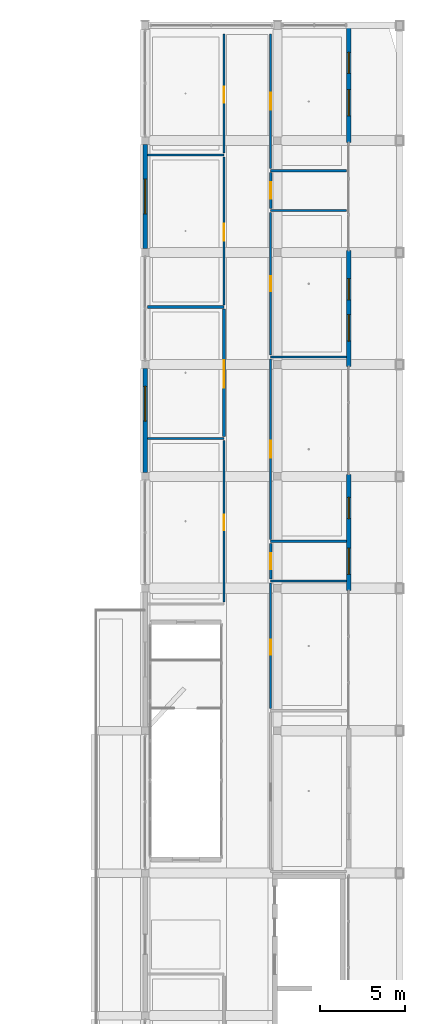
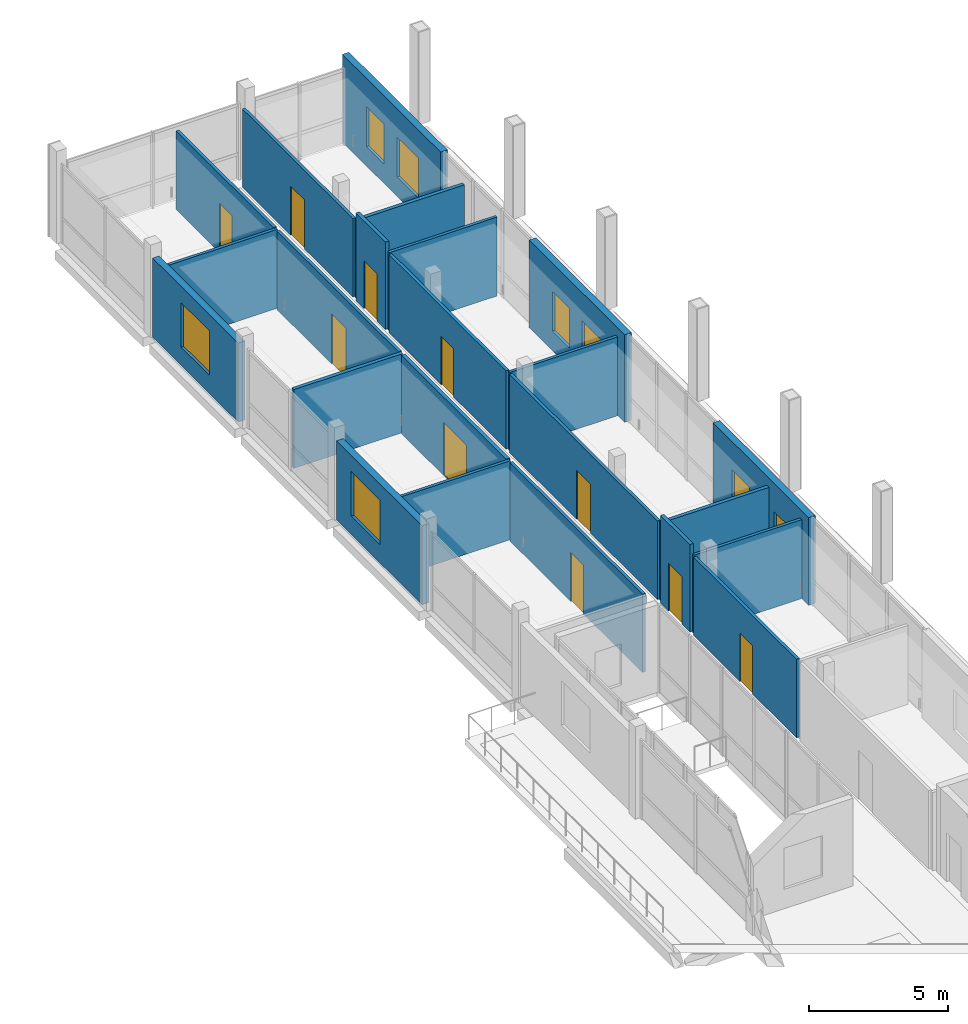
# One storey, part 28 of 48: 23 walls, 10 doors, 8 windows, 18 openings.
"""IFC4 building model written with IfcOpenShell, lengths in metres."""

import ifcopenshell
import ifcopenshell.guid

model = None  # the IFC model being written
_history = None  # IfcOwnerHistory: only IFC2X3 demands one
_inside = {}  # id of a spatial element -> (the spatial element, [elements in it])
_under = {}  # id of a project, library or spatial element -> (it, [spatial elements below it])
_declared = {}  # id of a project -> (the project, [libraries it declares])
_typed = {}  # id of a type object -> (the type object, [elements of that type])
_made_of = {}  # id of a material, layer set ... -> (it, [elements and type objects made of it])


def new_model(schema):
    """Start an empty IFC model of exactly this schema.

    Asked for "IFC4X3", IfcOpenShell would pick the latest addendum, in which some entities
    have other attributes; the version numbers below select the first issue.
    IFC2X3 requires an IfcOwnerHistory on every rooted entity: one is made here for all.
    """
    global model, _history
    if schema == "IFC4X3":
        model = ifcopenshell.file(schema_version=(4, 3, 0, 0))
    else:
        model = ifcopenshell.file(schema=schema)
    _inside.clear()
    _under.clear()
    _declared.clear()
    _typed.clear()
    _made_of.clear()
    _history = None
    if model.schema == "IFC2X3":
        org = make("IfcOrganization", Name="unknown")
        user = make(
            "IfcPersonAndOrganization",
            ThePerson=make("IfcPerson", FamilyName="unknown"),
            TheOrganization=org,
        )
        app = make(
            "IfcApplication",
            ApplicationDeveloper=org,
            Version="unknown",
            ApplicationFullName="unknown",
            ApplicationIdentifier="unknown",
        )
        _history = make(
            "IfcOwnerHistory",
            OwningUser=user,
            OwningApplication=app,
            ChangeAction="ADDED",
            CreationDate=0,
        )
    return model


def make(cls, **values):
    """One entity of the class cls with the attributes given. An attribute that is None is left unset."""
    return model.create_entity(
        cls, **{name: value for name, value in values.items() if value is not None}
    )


def rooted(cls, **values):
    """An entity with a GlobalId (a new one), such as an element, a storey or a relation."""
    return make(cls, GlobalId=ifcopenshell.guid.new(), OwnerHistory=_history, **values)


def si_unit(unit_type, name, prefix=None):
    """IfcSIUnit, for example si_unit("LENGTHUNIT", "METRE", prefix="MILLI")."""
    return make("IfcSIUnit", UnitType=unit_type, Prefix=prefix, Name=name)


def derived_unit(unit_type, elements):
    """IfcDerivedUnit: a product of units, each with its exponent."""
    return make(
        "IfcDerivedUnit",
        Elements=[
            make("IfcDerivedUnitElement", Unit=unit, Exponent=power)
            for unit, power in elements
        ],
        UnitType=unit_type,
    )


def assignment(units):
    """IfcUnitAssignment: the units of a project."""
    return None if units is None else make("IfcUnitAssignment", Units=units)


def point(xyz):
    """IfcCartesianPoint."""
    return None if xyz is None else make("IfcCartesianPoint", Coordinates=xyz)


def direction(xyz):
    """IfcDirection."""
    return None if xyz is None else make("IfcDirection", DirectionRatios=xyz)


def frame(location, z_axis=None, x_axis=None):
    """IfcAxis2Placement3D, a coordinate frame: its origin and axes. An axis left out is left unset."""
    return make(
        "IfcAxis2Placement3D",
        Location=point(location),
        Axis=direction(z_axis),
        RefDirection=direction(x_axis),
    )


def frame_2d(location, x_axis=None):
    """IfcAxis2Placement2D, a coordinate frame in the plane: its origin and x axis."""
    return make(
        "IfcAxis2Placement2D", Location=point(location), RefDirection=direction(x_axis)
    )


def origin():
    """The frame at (0, 0, 0) with its axes left unset."""
    return frame((0.0, 0.0, 0.0))


def origin_with_axes():
    """The frame at (0, 0, 0) with the z axis (0, 0, 1) and the x axis (1, 0, 0) written out."""
    return frame((0.0, 0.0, 0.0), z_axis=(0.0, 0.0, 1.0), x_axis=(1.0, 0.0, 0.0))


def place(relative_to, where):
    """IfcLocalPlacement: puts the frame where relative to a parent placement (None: the world)."""
    return make(
        "IfcLocalPlacement", PlacementRelTo=relative_to, RelativePlacement=where
    )


def context(
    kind, dimensions, precision=None, world=None, true_north=None, identifier=None
):
    """IfcGeometricRepresentationContext, for example the 3D "Model" context."""
    return make(
        "IfcGeometricRepresentationContext",
        ContextIdentifier=identifier,
        ContextType=kind,
        CoordinateSpaceDimension=dimensions,
        Precision=precision,
        WorldCoordinateSystem=world,
        TrueNorth=true_north,
    )


def subcontext(parent, identifier, kind, view, scale=None):
    """IfcGeometricRepresentationSubContext, for example "Body" below "Model"."""
    return make(
        "IfcGeometricRepresentationSubContext",
        ContextIdentifier=identifier,
        ContextType=kind,
        ParentContext=parent,
        TargetScale=scale,
        TargetView=view,
    )


def project(units=None, contexts=None):
    """IfcProject with its units and contexts."""
    return rooted(
        "IfcProject",
        Name="project",
        RepresentationContexts=contexts,
        UnitsInContext=assignment(units),
    )


def spatial(cls, under=None, at=None, **own):
    """A site, building, storey or space (cls), placed at a placement, below another one or the project."""
    s = rooted(cls, ObjectPlacement=at, **own)
    if under is not None:
        _under.setdefault(under.id(), (under, []))[1].append(s)
    return s


def profile(cls, at=None, kind="AREA", **sizes):
    """A parametric profile (cls). Its sizes go by their IFC names, for example OverallWidth=200.0."""
    return make(cls, ProfileType=kind, Position=at, **sizes)


def rectangle(**sizes):
    """IfcRectangleProfileDef."""
    return profile("IfcRectangleProfileDef", **sizes)


def extrude(swept, where, along, depth):
    """IfcExtrudedAreaSolid: the profile swept, set in the frame where, extruded along a direction by depth."""
    return make(
        "IfcExtrudedAreaSolid",
        SweptArea=swept,
        Position=where,
        ExtrudedDirection=direction(along),
        Depth=depth,
    )


def shape(context_of_items, identifier, shape_type, items):
    """IfcShapeRepresentation: the items that make up one representation, for example the "Body"."""
    return make(
        "IfcShapeRepresentation",
        ContextOfItems=context_of_items,
        RepresentationIdentifier=identifier,
        RepresentationType=shape_type,
        Items=items,
    )


def material(Name=None, Category=None):
    """IfcMaterial."""
    return make("IfcMaterial", Name=Name, Category=Category)


def layer(
    of_material, thickness, ventilated=None, Name=None, Category=None, Priority=None
):
    """IfcMaterialLayer: one layer of a wall or slab, of a material (None: an air gap)."""
    return make(
        "IfcMaterialLayer",
        Material=of_material,
        LayerThickness=thickness,
        IsVentilated=ventilated,
        Name=Name,
        Category=Category,
        Priority=Priority,
    )


def layer_set(layers, Name=None):
    """IfcMaterialLayerSet."""
    return make("IfcMaterialLayerSet", MaterialLayers=layers, LayerSetName=Name)


def made_of(thing, what):
    """Note that an element or type object is made of a material, layer set ...; save() writes the relation."""
    if what is not None:
        _made_of.setdefault(what.id(), (what, []))[1].append(thing)
    return thing


def type_object(cls, material=None, **own):
    """A type object (cls), such as IfcWallType, which elements share."""
    return made_of(rooted(cls, **own), material)


def element(
    cls,
    number,
    at=None,
    inside=None,
    cuts=None,
    type_object=None,
    material=None,
    context=None,
    identifier="Body",
    shape_type=None,
    held_by="IfcProductDefinitionShape",
    body=None,
    shapes=None,
    **own,
):
    """One element of the class cls, such as IfcWall. Its Tag is "e" and its number.

    at: its placement. inside: the storey or other place that contains it. cuts: it is an
    opening in that element (IfcRelVoidsElement). A single representation is given by context,
    identifier, shape_type and body (its items); several are given by shapes. held_by: the class
    of the entity that holds the representations. save() writes the other relations.
    """
    e = rooted(cls, Tag="e%d" % number, ObjectPlacement=at, **own)
    if body is not None:
        shapes = [shape(context, identifier, shape_type, body)]
    if shapes is not None:
        e.Representation = make(held_by, Representations=shapes)
    if inside is not None:
        _inside.setdefault(inside.id(), (inside, []))[1].append(e)
    if cuts is not None:
        rooted(
            "IfcRelVoidsElement", RelatingBuildingElement=cuts, RelatedOpeningElement=e
        )
    if type_object is not None:
        _typed.setdefault(type_object.id(), (type_object, []))[1].append(e)
    return made_of(e, material)


def fill(opening, filler):
    """IfcRelFillsElement: the door or window that sits in an opening."""
    return rooted(
        "IfcRelFillsElement",
        RelatingOpeningElement=opening,
        RelatedBuildingElement=filler,
    )


def aggregate(whole, parts):
    """IfcRelAggregates: a whole, such as a stair, and the parts it consists of."""
    return rooted("IfcRelAggregates", RelatingObject=whole, RelatedObjects=parts)


def save(model, path):
    """Write the relations noted so far, then the file.

    IfcRelAggregates (storeys below a building ...), IfcRelContainedInSpatialStructure (elements
    in a storey), IfcRelDefinesByType, IfcRelAssociatesMaterial and IfcRelDeclares: one each for
    every whole, place, type object, material and project.
    """
    for whole, parts in _under.values():
        aggregate(whole, parts)
    for where, things in _inside.values():
        rooted(
            "IfcRelContainedInSpatialStructure",
            RelatedElements=things,
            RelatingStructure=where,
        )
    for kind, things in _typed.values():
        rooted("IfcRelDefinesByType", RelatedObjects=things, RelatingType=kind)
    for what, things in _made_of.values():
        rooted("IfcRelAssociatesMaterial", RelatedObjects=things, RelatingMaterial=what)
    for by, libraries in _declared.values():
        rooted("IfcRelDeclares", RelatingContext=by, RelatedDefinitions=libraries)
    model.write(path)


model = new_model("IFC4")

# Units and contexts
model_context = context("Model", 3, precision=1e-05, world=origin(), true_north=direction((0.0, 1.0)))
body_context = subcontext(model_context, "Body", "Model", "MODEL_VIEW")
ifc_project = project(units=[si_unit("LENGTHUNIT", "METRE"), si_unit("AREAUNIT", "SQUARE_METRE"), si_unit("VOLUMEUNIT", "CUBIC_METRE"), si_unit("PLANEANGLEUNIT", "RADIAN"), si_unit("MASSUNIT", "GRAM", prefix="KILO"), derived_unit("THERMALTRANSMITTANCEUNIT", [(si_unit("POWERUNIT", "WATT"), 1), (si_unit("LENGTHUNIT", "METRE"), -2), (si_unit("THERMODYNAMICTEMPERATUREUNIT", "KELVIN"), -1)])], contexts=[model_context])

# Site, building, storey
site_placement = place(None, origin())
site = spatial("IfcSite", under=ifc_project, at=site_placement, CompositionType="ELEMENT")
building_placement = place(site_placement, origin())
building = spatial("IfcBuilding", under=site, at=building_placement, Name="Braskholm Square Health Centre", CompositionType="ELEMENT")
storey_placement = place(building_placement, frame((0.0, 0.0, 17.550048828125)))
storey = spatial("IfcBuildingStorey", under=building, at=storey_placement, Name="L05", CompositionType="ELEMENT", Elevation=17.550048828125)

# Wall, opening, door
ifc_material_1 = material(Name="Acoustic gypsum board partition")
ifc_layer_1 = layer(ifc_material_1, 0.125)
ifc_layer_set_1 = layer_set([ifc_layer_1], Name="Acoustic gypsum board partition")
wall_type_1 = type_object("IfcWallType", Name="ClinicalExamPartition125", PredefinedType="PARTITIONING", material=ifc_layer_set_1)
wall_1_placement = place(storey_placement, frame((156.199951171875, 73.5, 0.0), z_axis=(0.0, 0.0, 1.0), x_axis=(0.0, 1.0, 0.0)))
wall_1 = element("IfcWall", 1, at=wall_1_placement, inside=storey, type_object=wall_type_1, Name="Interior partition PWALL-L05-0491", PredefinedType="PARTITIONING", context=body_context, shape_type="SweptSolid", body=[
    extrude(rectangle(XDim=7.39990234375, YDim=0.125, at=frame_2d((3.699951171875, 0.0))), origin(), (0.0, 0.0, 1.0), 3.43505859375),
])
opening_1_placement = place(wall_1_placement, frame((3.173095703125, 0.0, 0.0)))
opening_1 = element("IfcOpeningElement", 2, at=opening_1_placement, cuts=wall_1, Name="Opening D-07", PredefinedType="OPENING", context=body_context, shape_type="SweptSolid", body=[
    extrude(rectangle(XDim=0.89990234375, YDim=2.1201171875, at=frame_2d((0.449951171875, 1.06005859375))), frame((0.0, 0.072509765625, 0.0), z_axis=(0.0, -1.0, 0.0), x_axis=(1.0, 0.0, 0.0)), (0.0, 0.0, 1.0), 0.14501953125),
])
ifc_material_2 = material(Name="Architectural bronze anodised aluminium", Category="aluminium")
door_type_1 = type_object("IfcDoorType", Name="DoorProviderOffice900x2120", OperationType="NOTDEFINED", PredefinedType="DOOR", material=ifc_material_2)
door_1_placement = place(opening_1_placement, frame((0.89990234375, 0.0, 0.0), z_axis=(0.0, 0.0, 1.0), x_axis=(-1.0, 0.0, 0.0)))
door_1 = element("IfcDoor", 3, at=door_1_placement, inside=storey, type_object=door_type_1, Name="Interior door 0232 L05", OperationType="SINGLE_SWING_RIGHT", OverallHeight=2.1201171875, OverallWidth=0.89990234375, PredefinedType="DOOR", context=body_context, shape_type="SweptSolid", body=[
    extrude(rectangle(XDim=0.89990234375, YDim=2.1201171875, at=frame_2d((0.449951171875, 1.06005859375))), frame((0.0, 0.02490234375, 0.0), z_axis=(0.0, -1.0, 0.0), x_axis=(1.0, 0.0, 0.0)), (0.0, 0.0, 1.0), 0.050048828125),
])
fill(opening_1, door_1)

# Wall
wall_2_placement = place(storey_placement, frame((156.199951171875, 81.02001953125, 0.0), z_axis=(0.0, 0.0, 1.0), x_axis=(1.0, 0.0, 0.0)))
element("IfcWall", 4, at=wall_2_placement, inside=storey, type_object=wall_type_1, Name="Interior partition PWALL-L05-0492", PredefinedType="PARTITIONING", context=body_context, shape_type="SweptSolid", body=[
    extrude(rectangle(XDim=4.4599609375, YDim=0.125, at=frame_2d((2.22998046875, 0.0))), origin(), (0.0, 0.0, 1.0), 3.454833984375),
])

# Wall, opening, door
wall_3_placement = place(storey_placement, frame((156.199951171875, 83.489990234375, 0.0), z_axis=(0.0, 0.0, 1.0), x_axis=(0.0, 1.0, 0.0)))
wall_3 = element("IfcWall", 5, at=wall_3_placement, inside=storey, type_object=wall_type_1, Name="Interior partition PWALL-L05-0495", PredefinedType="PARTITIONING", context=body_context, shape_type="SweptSolid", body=[
    extrude(rectangle(XDim=10.6201171875, YDim=0.125, at=frame_2d((5.31005859375, 0.0))), origin(), (0.0, 0.0, 1.0), 3.43505859375),
])
opening_2_placement = place(wall_3_placement, frame((4.81005859375, 0.0, 0.0)))
opening_2 = element("IfcOpeningElement", 6, at=opening_2_placement, cuts=wall_3, Name="Opening D-02", PredefinedType="OPENING", context=body_context, shape_type="SweptSolid", body=[
    extrude(rectangle(XDim=1.0, YDim=2.14990234375, at=frame_2d((0.5, 1.074951171875))), frame((0.0, 0.072509765625, 0.0), z_axis=(0.0, -1.0, 0.0), x_axis=(1.0, 0.0, 0.0)), (0.0, 0.0, 1.0), 0.14501953125),
])
door_type_2 = type_object("IfcDoorType", Name="DoorExamSingle1000x2150", OperationType="NOTDEFINED", PredefinedType="DOOR", material=ifc_material_2)
door_2_placement = place(opening_2_placement, frame((1.0, 0.0, 0.0), z_axis=(0.0, 0.0, 1.0), x_axis=(-1.0, 0.0, 0.0)))
door_2 = element("IfcDoor", 7, at=door_2_placement, inside=storey, type_object=door_type_2, Name="Interior door 0234 L05", OperationType="SINGLE_SWING_RIGHT", OverallHeight=2.14990234375, OverallWidth=1.0, PredefinedType="DOOR", context=body_context, shape_type="SweptSolid", body=[
    extrude(rectangle(XDim=1.0, YDim=2.14990234375, at=frame_2d((0.5, 1.074951171875))), frame((0.0, 0.02490234375, 0.0), z_axis=(0.0, -1.0, 0.0), x_axis=(1.0, 0.0, 0.0)), (0.0, 0.0, 1.0), 0.050048828125),
])
fill(opening_2, door_2)

# Wall
wall_4_placement = place(storey_placement, frame((156.199951171875, 94.22998046875, 0.0), z_axis=(0.0, 0.0, 1.0), x_axis=(1.0, 0.0, 0.0)))
element("IfcWall", 8, at=wall_4_placement, inside=storey, type_object=wall_type_1, Name="Interior partition PWALL-L05-0496", PredefinedType="PARTITIONING", context=body_context, shape_type="SweptSolid", body=[
    extrude(rectangle(XDim=4.4599609375, YDim=0.125, at=frame_2d((2.22998046875, 0.0))), origin(), (0.0, 0.0, 1.0), 3.454833984375),
])

# Wall, opening, door
wall_5_placement = place(storey_placement, frame((156.199951171875, 94.35009765625, 0.0), z_axis=(0.0, 0.0, 1.0), x_axis=(0.0, 1.0, 0.0)))
wall_5 = element("IfcWall", 9, at=wall_5_placement, inside=storey, type_object=wall_type_1, Name="Interior partition PWALL-L05-0497", PredefinedType="PARTITIONING", context=body_context, shape_type="SweptSolid", body=[
    extrude(rectangle(XDim=8.409912109375, YDim=0.125, at=frame_2d((4.205078125, 0.0))), origin(), (0.0, 0.0, 1.0), 3.43505859375),
])
opening_3_placement = place(wall_5_placement, frame((3.7548828125, 0.0, 0.0)))
opening_3 = element("IfcOpeningElement", 10, at=opening_3_placement, cuts=wall_5, Name="Opening D-07", PredefinedType="OPENING", context=body_context, shape_type="SweptSolid", body=[
    extrude(rectangle(XDim=0.89990234375, YDim=2.1201171875, at=frame_2d((0.449951171875, 1.06005859375))), frame((0.0, 0.072509765625, 0.0), z_axis=(0.0, -1.0, 0.0), x_axis=(1.0, 0.0, 0.0)), (0.0, 0.0, 1.0), 0.14501953125),
])
door_3_placement = place(opening_3_placement, frame((0.89990234375, 0.0, 0.0), z_axis=(0.0, 0.0, 1.0), x_axis=(-1.0, 0.0, 0.0)))
door_3 = element("IfcDoor", 11, at=door_3_placement, inside=storey, type_object=door_type_1, Name="Interior door 0235 L05", OperationType="SINGLE_SWING_LEFT", OverallHeight=2.1201171875, OverallWidth=0.89990234375, PredefinedType="DOOR", context=body_context, shape_type="SweptSolid", body=[
    extrude(rectangle(XDim=0.89990234375, YDim=2.1201171875, at=frame_2d((0.449951171875, 1.06005859375))), frame((0.0, 0.02490234375, 0.0), z_axis=(0.0, -1.0, 0.0), x_axis=(1.0, 0.0, 0.0)), (0.0, 0.0, 1.0), 0.050048828125),
])
fill(opening_3, door_3)

# Wall
wall_6_placement = place(storey_placement, frame((156.199951171875, 102.8798828125, 0.0), z_axis=(0.0, 0.0, 1.0), x_axis=(1.0, 0.0, 0.0)))
element("IfcWall", 12, at=wall_6_placement, inside=storey, type_object=wall_type_1, Name="Interior partition PWALL-L05-0498", PredefinedType="PARTITIONING", context=body_context, shape_type="SweptSolid", body=[
    extrude(rectangle(XDim=4.4599609375, YDim=0.125, at=frame_2d((2.22998046875, 0.0))), origin(), (0.0, 0.0, 1.0), 3.454833984375),
])

# Wall, opening, door
wall_7_placement = place(storey_placement, frame((156.199951171875, 105.35009765625, 0.0), z_axis=(0.0, 0.0, 1.0), x_axis=(0.0, 1.0, 0.0)))
wall_7 = element("IfcWall", 13, at=wall_7_placement, inside=storey, type_object=wall_type_1, Name="Interior partition PWALL-L05-0501", PredefinedType="PARTITIONING", context=body_context, shape_type="SweptSolid", body=[
    extrude(rectangle(XDim=7.929931640625, YDim=0.125, at=frame_2d((3.96484375, 0.0))), origin(), (0.0, 0.0, 1.0), 3.43505859375),
])
opening_4_placement = place(wall_7_placement, frame((3.465087890625, 0.0, 0.0)))
opening_4 = element("IfcOpeningElement", 14, at=opening_4_placement, cuts=wall_7, Name="Opening D-02", PredefinedType="OPENING", context=body_context, shape_type="SweptSolid", body=[
    extrude(rectangle(XDim=1.0, YDim=2.14990234375, at=frame_2d((0.5, 1.074951171875))), frame((0.0, 0.072509765625, 0.0), z_axis=(0.0, -1.0, 0.0), x_axis=(1.0, 0.0, 0.0)), (0.0, 0.0, 1.0), 0.14501953125),
])
door_4_placement = place(opening_4_placement, frame((1.0, 0.0, 0.0), z_axis=(0.0, 0.0, 1.0), x_axis=(-1.0, 0.0, 0.0)))
door_4 = element("IfcDoor", 15, at=door_4_placement, inside=storey, type_object=door_type_2, Name="Interior door 0237 L05", OperationType="SINGLE_SWING_LEFT", OverallHeight=2.14990234375, OverallWidth=1.0, PredefinedType="DOOR", context=body_context, shape_type="SweptSolid", body=[
    extrude(rectangle(XDim=1.0, YDim=2.14990234375, at=frame_2d((0.5, 1.074951171875))), frame((0.0, 0.02490234375, 0.0), z_axis=(0.0, -1.0, 0.0), x_axis=(1.0, 0.0, 0.0)), (0.0, 0.0, 1.0), 0.050048828125),
])
fill(opening_4, door_4)

wall_8_placement = place(storey_placement, frame((153.449951171875, 79.800048828125, 0.0), z_axis=(0.0, 0.0, 1.0), x_axis=(0.0, 1.0, 0.0)))
wall_8 = element("IfcWall", 16, at=wall_8_placement, inside=storey, type_object=wall_type_1, Name="Interior partition PWALL-L05-0511", PredefinedType="PARTITIONING", context=body_context, shape_type="SweptSolid", body=[
    extrude(rectangle(XDim=9.52001953125, YDim=0.125, at=frame_2d((4.760009765625, 0.0))), origin(), (0.0, 0.0, 1.0), 3.43505859375),
])
opening_5_placement = place(wall_8_placement, frame((4.22412109375, 0.0, 0.0)))
opening_5 = element("IfcOpeningElement", 17, at=opening_5_placement, cuts=wall_8, Name="Opening D-01", PredefinedType="OPENING", context=body_context, shape_type="SweptSolid", body=[
    extrude(rectangle(XDim=0.919921875, YDim=2.14990234375, at=frame_2d((0.4599609375, 1.074951171875))), frame((0.0, 0.072509765625, 0.0), z_axis=(0.0, -1.0, 0.0), x_axis=(1.0, 0.0, 0.0)), (0.0, 0.0, 1.0), 0.14501953125),
])
door_type_3 = type_object("IfcDoorType", Name="DoorConsultSingle920x2150", OperationType="NOTDEFINED", PredefinedType="DOOR", material=ifc_material_2)
door_5_placement = place(opening_5_placement, origin_with_axes())
door_5 = element("IfcDoor", 18, at=door_5_placement, inside=storey, type_object=door_type_3, Name="Interior door 0242 L05", OperationType="SINGLE_SWING_LEFT", OverallHeight=2.14990234375, OverallWidth=0.919921875, PredefinedType="DOOR", context=body_context, shape_type="SweptSolid", body=[
    extrude(rectangle(XDim=0.919921875, YDim=2.14990234375, at=frame_2d((0.4599609375, 1.074951171875))), frame((0.0, 0.02490234375, 0.0), z_axis=(0.0, -1.0, 0.0), x_axis=(1.0, 0.0, 0.0)), (0.0, 0.0, 1.0), 0.050048828125),
])
fill(opening_5, door_5)

# Wall
wall_9_placement = place(storey_placement, frame((148.93994140625, 89.43994140625, 0.0), z_axis=(0.0, 0.0, 1.0), x_axis=(1.0, 0.0, 0.0)))
element("IfcWall", 19, at=wall_9_placement, inside=storey, type_object=wall_type_1, Name="Interior partition PWALL-L05-0513", PredefinedType="PARTITIONING", context=body_context, shape_type="SweptSolid", body=[
    extrude(rectangle(XDim=4.510009765625, YDim=0.125, at=frame_2d((2.2548828125, 0.0))), origin(), (0.0, 0.0, 1.0), 3.454833984375),
])

# Wall, opening, door
wall_10_placement = place(storey_placement, frame((153.449951171875, 97.31005859375, 0.0), z_axis=(0.0, 0.0, 1.0), x_axis=(0.0, 1.0, 0.0)))
wall_10 = element("IfcWall", 20, at=wall_10_placement, inside=storey, type_object=wall_type_1, Name="Interior partition PWALL-L05-0516", PredefinedType="PARTITIONING", context=body_context, shape_type="SweptSolid", body=[
    extrude(rectangle(XDim=8.72998046875, YDim=0.125, at=frame_2d((4.364990234375, 0.0))), origin(), (0.0, 0.0, 1.0), 3.43505859375),
])
opening_6_placement = place(wall_10_placement, frame((3.779052734375, 0.0, 0.0)))
opening_6 = element("IfcOpeningElement", 21, at=opening_6_placement, cuts=wall_10, Name="Opening D-25", PredefinedType="OPENING", context=body_context, shape_type="SweptSolid", body=[
    extrude(rectangle(XDim=1.02001953125, YDim=2.179931640625, at=frame_2d((0.510009765625, 1.08984375))), frame((0.0, 0.072509765625, 0.0), z_axis=(0.0, -1.0, 0.0), x_axis=(1.0, 0.0, 0.0)), (0.0, 0.0, 1.0), 0.14501953125),
])
door_type_4 = type_object("IfcDoorType", Name="DoorConsultWide1020x2180", OperationType="NOTDEFINED", PredefinedType="DOOR", material=ifc_material_2)
door_6_placement = place(opening_6_placement, origin_with_axes())
door_6 = element("IfcDoor", 22, at=door_6_placement, inside=storey, type_object=door_type_4, Name="Interior door 0244 L05", OperationType="SINGLE_SWING_RIGHT", OverallHeight=2.179931640625, OverallWidth=1.02001953125, PredefinedType="DOOR", context=body_context, shape_type="SweptSolid", body=[
    extrude(rectangle(XDim=1.02001953125, YDim=2.179931640625, at=frame_2d((0.510009765625, 1.08984375))), frame((0.0, 0.02490234375, 0.0), z_axis=(0.0, -1.0, 0.0), x_axis=(1.0, 0.0, 0.0)), (0.0, 0.0, 1.0), 0.050048828125),
])
fill(opening_6, door_6)

# Wall
wall_11_placement = place(storey_placement, frame((148.93994140625, 106.159912109375, 0.0), z_axis=(0.0, 0.0, 1.0), x_axis=(1.0, 0.0, 0.0)))
element("IfcWall", 23, at=wall_11_placement, inside=storey, type_object=wall_type_1, Name="Interior partition PWALL-L05-0517", PredefinedType="PARTITIONING", context=body_context, shape_type="SweptSolid", body=[
    extrude(rectangle(XDim=4.510009765625, YDim=0.125, at=frame_2d((2.2548828125, 0.0))), origin(), (0.0, 0.0, 1.0), 3.454833984375),
])

# Wall, opening, door
wall_12_placement = place(storey_placement, frame((153.449951171875, 106.280029296875, 0.0), z_axis=(0.0, 0.0, 1.0), x_axis=(0.0, 1.0, 0.0)))
wall_12 = element("IfcWall", 24, at=wall_12_placement, inside=storey, type_object=wall_type_1, Name="Interior partition PWALL-L05-0518", PredefinedType="PARTITIONING", context=body_context, shape_type="SweptSolid", body=[
    extrude(rectangle(XDim=7.0, YDim=0.125, at=frame_2d((3.5, 0.0))), origin(), (0.0, 0.0, 1.0), 3.43505859375),
])
opening_7_placement = place(wall_12_placement, frame((2.965087890625, 0.0, 0.0)))
opening_7 = element("IfcOpeningElement", 25, at=opening_7_placement, cuts=wall_12, Name="Opening D-01", PredefinedType="OPENING", context=body_context, shape_type="SweptSolid", body=[
    extrude(rectangle(XDim=0.919921875, YDim=2.14990234375, at=frame_2d((0.4599609375, 1.074951171875))), frame((0.0, 0.072509765625, 0.0), z_axis=(0.0, -1.0, 0.0), x_axis=(1.0, 0.0, 0.0)), (0.0, 0.0, 1.0), 0.14501953125),
])
door_7_placement = place(opening_7_placement, origin_with_axes())
door_7 = element("IfcDoor", 26, at=door_7_placement, inside=storey, type_object=door_type_3, Name="Interior door 0245 L05", OperationType="SINGLE_SWING_LEFT", OverallHeight=2.14990234375, OverallWidth=0.919921875, PredefinedType="DOOR", context=body_context, shape_type="SweptSolid", body=[
    extrude(rectangle(XDim=0.919921875, YDim=2.14990234375, at=frame_2d((0.4599609375, 1.074951171875))), frame((0.0, 0.02490234375, 0.0), z_axis=(0.0, -1.0, 0.0), x_axis=(1.0, 0.0, 0.0)), (0.0, 0.0, 1.0), 0.050048828125),
])
fill(opening_7, door_7)

ifc_layer_2 = layer(ifc_material_1, 0.14990234375)
ifc_layer_set_2 = layer_set([ifc_layer_2], Name="Acoustic gypsum board partition")
wall_type_2 = type_object("IfcWallType", Name="CorridorAcousticPartition150", PredefinedType="PARTITIONING", material=ifc_layer_set_2)
wall_13_placement = place(storey_placement, frame((156.199951171875, 81.139892578125, 0.0), z_axis=(0.0, 0.0, 1.0), x_axis=(0.0, 1.0, 0.0)))
wall_13 = element("IfcWall", 27, at=wall_13_placement, inside=storey, type_object=wall_type_2, Name="Interior partition PWALL-L05-0493", PredefinedType="PARTITIONING", context=body_context, shape_type="SweptSolid", body=[
    extrude(rectangle(XDim=2.110107421875, YDim=0.14990234375, at=frame_2d((1.05517578125, 0.0))), origin(), (0.0, 0.0, 1.0), 3.8349609375),
])
opening_8_placement = place(wall_13_placement, frame((0.574951171875, 0.0, 0.0)))
opening_8 = element("IfcOpeningElement", 28, at=opening_8_placement, cuts=wall_13, Name="Opening D-05", PredefinedType="OPENING", context=body_context, shape_type="SweptSolid", body=[
    extrude(rectangle(XDim=0.9599609375, YDim=2.10009765625, at=frame_2d((0.47998046875, 1.050048828125))), frame((0.0, 0.0849609375, 0.0), z_axis=(0.0, -1.0, 0.0), x_axis=(1.0, 0.0, 0.0)), (0.0, 0.0, 1.0), 0.169921875),
])
door_type_5 = type_object("IfcDoorType", Name="DoorAccessibleWC960x2100", OperationType="NOTDEFINED", PredefinedType="DOOR", material=ifc_material_2)
door_8_placement = place(opening_8_placement, frame((0.9599609375, 0.0, 0.0), z_axis=(0.0, 0.0, 1.0), x_axis=(-1.0, 0.0, 0.0)))
door_8 = element("IfcDoor", 29, at=door_8_placement, inside=storey, type_object=door_type_5, Name="Interior door 0233 L05", OperationType="SINGLE_SWING_LEFT", OverallHeight=2.10009765625, OverallWidth=0.9599609375, PredefinedType="DOOR", context=body_context, shape_type="SweptSolid", body=[
    extrude(rectangle(XDim=0.9599609375, YDim=2.10009765625, at=frame_2d((0.47998046875, 1.050048828125))), frame((0.0, 0.02490234375, 0.0), z_axis=(0.0, -1.0, 0.0), x_axis=(1.0, 0.0, 0.0)), (0.0, 0.0, 1.0), 0.050048828125),
])
fill(opening_8, door_8)

# Wall
wall_14_placement = place(storey_placement, frame((156.199951171875, 83.3701171875, 0.0), z_axis=(0.0, 0.0, 1.0), x_axis=(1.0, 0.0, 0.0)))
element("IfcWall", 30, at=wall_14_placement, inside=storey, type_object=wall_type_2, Name="Interior partition PWALL-L05-0494", PredefinedType="PARTITIONING", context=body_context, shape_type="SweptSolid", body=[
    extrude(rectangle(XDim=4.4599609375, YDim=0.14990234375, at=frame_2d((2.22998046875, 0.0))), origin(), (0.0, 0.0, 1.0), 3.454833984375),
])

# Wall, opening, door
wall_15_placement = place(storey_placement, frame((156.199951171875, 103.0, 0.0), z_axis=(0.0, 0.0, 1.0), x_axis=(0.0, 1.0, 0.0)))
wall_15 = element("IfcWall", 31, at=wall_15_placement, inside=storey, type_object=wall_type_2, Name="Interior partition PWALL-L05-0499", PredefinedType="PARTITIONING", context=body_context, shape_type="SweptSolid", body=[
    extrude(rectangle(XDim=2.110107421875, YDim=0.14990234375, at=frame_2d((1.05517578125, 0.0))), origin(), (0.0, 0.0, 1.0), 3.8349609375),
])
opening_9_placement = place(wall_15_placement, frame((0.574951171875, 0.0, 0.0)))
opening_9 = element("IfcOpeningElement", 32, at=opening_9_placement, cuts=wall_15, Name="Opening D-05", PredefinedType="OPENING", context=body_context, shape_type="SweptSolid", body=[
    extrude(rectangle(XDim=0.9599609375, YDim=2.10009765625, at=frame_2d((0.47998046875, 1.050048828125))), frame((0.0, 0.0849609375, 0.0), z_axis=(0.0, -1.0, 0.0), x_axis=(1.0, 0.0, 0.0)), (0.0, 0.0, 1.0), 0.169921875),
])
door_9_placement = place(opening_9_placement, frame((0.9599609375, 0.0, 0.0), z_axis=(0.0, 0.0, 1.0), x_axis=(-1.0, 0.0, 0.0)))
door_9 = element("IfcDoor", 33, at=door_9_placement, inside=storey, type_object=door_type_5, Name="Interior door 0236 L05", OperationType="SINGLE_SWING_RIGHT", OverallHeight=2.10009765625, OverallWidth=0.9599609375, PredefinedType="DOOR", context=body_context, shape_type="SweptSolid", body=[
    extrude(rectangle(XDim=0.9599609375, YDim=2.10009765625, at=frame_2d((0.47998046875, 1.050048828125))), frame((0.0, 0.02490234375, 0.0), z_axis=(0.0, -1.0, 0.0), x_axis=(1.0, 0.0, 0.0)), (0.0, 0.0, 1.0), 0.050048828125),
])
fill(opening_9, door_9)

# Wall
wall_16_placement = place(storey_placement, frame((156.199951171875, 105.22998046875, 0.0), z_axis=(0.0, 0.0, 1.0), x_axis=(1.0, 0.0, 0.0)))
element("IfcWall", 34, at=wall_16_placement, inside=storey, type_object=wall_type_2, Name="Interior partition PWALL-L05-0500", PredefinedType="PARTITIONING", context=body_context, shape_type="SweptSolid", body=[
    extrude(rectangle(XDim=4.4599609375, YDim=0.14990234375, at=frame_2d((2.22998046875, 0.0))), origin(), (0.0, 0.0, 1.0), 3.454833984375),
])

# Wall, opening, door
wall_17_placement = place(storey_placement, frame((153.449951171875, 89.56005859375, 0.0), z_axis=(0.0, 0.0, 1.0), x_axis=(0.0, 1.0, 0.0)))
wall_17 = element("IfcWall", 35, at=wall_17_placement, inside=storey, type_object=wall_type_2, Name="Interior partition PWALL-L05-0514", PredefinedType="PARTITIONING", context=body_context, shape_type="SweptSolid", body=[
    extrude(rectangle(XDim=7.510009765625, YDim=0.14990234375, at=frame_2d((3.7548828125, 0.0))), origin(), (0.0, 0.0, 1.0), 3.43505859375),
])
opening_10_placement = place(wall_17_placement, frame((2.85888671875, 0.0, 0.0)))
opening_10 = element("IfcOpeningElement", 36, at=opening_10_placement, cuts=wall_17, Name="Opening D-28", PredefinedType="OPENING", context=body_context, shape_type="SweptSolid", body=[
    extrude(rectangle(XDim=1.639892578125, YDim=2.320068359375, at=frame_2d((0.81982421875, 1.16015625))), frame((0.0, 0.0849609375, 0.0), z_axis=(0.0, -1.0, 0.0), x_axis=(1.0, 0.0, 0.0)), (0.0, 0.0, 1.0), 0.169921875),
])
door_type_6 = type_object("IfcDoorType", Name="DoorSuiteDouble1640x2320", OperationType="DOUBLE_DOOR_SINGLE_SWING", PredefinedType="DOOR", material=ifc_material_2)
door_10_placement = place(opening_10_placement, origin_with_axes())
door_10 = element("IfcDoor", 37, at=door_10_placement, inside=storey, type_object=door_type_6, Name="Interior door 0243 L05", OperationType="DOUBLE_DOOR_SINGLE_SWING", OverallHeight=2.320068359375, OverallWidth=1.639892578125, PredefinedType="DOOR", context=body_context, shape_type="SweptSolid", body=[
    extrude(rectangle(XDim=1.639892578125, YDim=2.320068359375, at=frame_2d((0.81982421875, 1.16015625))), frame((0.0, 0.02490234375, 0.0), z_axis=(0.0, -1.0, 0.0), x_axis=(1.0, 0.0, 0.0)), (0.0, 0.0, 1.0), 0.050048828125),
])
fill(opening_10, door_10)

# Wall
wall_18_placement = place(storey_placement, frame((148.93994140625, 97.18994140625, 0.0), z_axis=(0.0, 0.0, 1.0), x_axis=(1.0, 0.0, 0.0)))
element("IfcWall", 38, at=wall_18_placement, inside=storey, type_object=wall_type_2, Name="Interior partition PWALL-L05-0515", PredefinedType="PARTITIONING", context=body_context, shape_type="SweptSolid", body=[
    extrude(rectangle(XDim=4.510009765625, YDim=0.14990234375, at=frame_2d((2.2548828125, 0.0))), origin(), (0.0, 0.0, 1.0), 3.454833984375),
])

# Wall, openings, windows
ifc_material_3 = material(Name="Precast concrete C40/50 architectural white", Category="concrete")
ifc_layer_3 = layer(ifc_material_3, 0.280029296875)
ifc_layer_set_3 = layer_set([ifc_layer_3], Name="Precast concrete C40/50 architectural white")
wall_type_3 = type_object("IfcWallType", Name="ExteriorPrecastSpandrelWall280", PredefinedType="SOLIDWALL", material=ifc_layer_set_3)
wall_19_placement = place(storey_placement, frame((160.800048828125, 80.465087890625, 0.0), z_axis=(0.0, 0.0, 1.0), x_axis=(0.0, 1.0, 0.0)))
wall_19 = element("IfcWall", 39, at=wall_19_placement, inside=storey, type_object=wall_type_3, Name="Exterior wall EWALL-L05-0091", PredefinedType="SOLIDWALL", context=body_context, shape_type="SweptSolid", body=[
    extrude(rectangle(XDim=6.85888671875, YDim=0.280029296875, at=frame_2d((3.429443359375, 0.0))), origin(), (0.0, 0.0, 1.0), 3.83984375),
])
opening_11_placement = place(wall_19_placement, frame((0.948974609375, 0.0, 0.85009765625)))
opening_11 = element("IfcOpeningElement", 40, at=opening_11_placement, cuts=wall_19, Name="Opening WN-22", PredefinedType="OPENING", context=body_context, shape_type="SweptSolid", body=[
    extrude(rectangle(XDim=1.550048828125, YDim=1.75, at=frame_2d((0.77490234375, 0.875))), frame((0.0, 0.14990234375, 0.0), z_axis=(0.0, -1.0, 0.0), x_axis=(1.0, 0.0, 0.0)), (0.0, 0.0, 1.0), 0.300048828125),
])
opening_12_placement = place(wall_19_placement, frame((4.2451171875, 0.0, 0.85009765625)))
opening_12 = element("IfcOpeningElement", 41, at=opening_12_placement, cuts=wall_19, Name="Opening WN-21", PredefinedType="OPENING", context=body_context, shape_type="SweptSolid", body=[
    extrude(rectangle(XDim=1.25, YDim=1.75, at=frame_2d((0.625, 0.875))), frame((0.0, 0.14990234375, 0.0), z_axis=(0.0, -1.0, 0.0), x_axis=(1.0, 0.0, 0.0)), (0.0, 0.0, 1.0), 0.300048828125),
])
ifc_material_4 = material(Name="Low-E triple insulating glass (VLT 0.64)", Category="glass")
window_type_1 = type_object("IfcWindowType", Name="WinCrownSetback1250x1750", PartitioningType="SINGLE_PANEL", PredefinedType="WINDOW", material=ifc_material_4)
window_1_placement = place(opening_12_placement, origin_with_axes())
window_1 = element("IfcWindow", 42, at=window_1_placement, inside=storey, type_object=window_type_1, Name="Exterior window 0164 L05", OverallHeight=1.75, OverallWidth=1.25, PartitioningType="SINGLE_PANEL", PredefinedType="WINDOW", context=body_context, shape_type="SweptSolid", body=[
    extrude(rectangle(XDim=1.25, YDim=1.75, at=frame_2d((0.625, 0.875))), frame((0.0, 0.030029296875, 0.0), z_axis=(0.0, -1.0, 0.0), x_axis=(1.0, 0.0, 0.0)), (0.0, 0.0, 1.0), 0.06005859375),
])
fill(opening_12, window_1)
window_type_2 = type_object("IfcWindowType", Name="WinCrownSetback1550x1750", PartitioningType="SINGLE_PANEL", PredefinedType="WINDOW", material=ifc_material_4)
window_2_placement = place(opening_11_placement, origin_with_axes())
window_2 = element("IfcWindow", 43, at=window_2_placement, inside=storey, type_object=window_type_2, Name="Exterior window 0163 L05", OverallHeight=1.75, OverallWidth=1.550048828125, PartitioningType="SINGLE_PANEL", PredefinedType="WINDOW", context=body_context, shape_type="SweptSolid", body=[
    extrude(rectangle(XDim=1.550048828125, YDim=1.75, at=frame_2d((0.77490234375, 0.875))), frame((0.0, 0.030029296875, 0.0), z_axis=(0.0, -1.0, 0.0), x_axis=(1.0, 0.0, 0.0)), (0.0, 0.0, 1.0), 0.06005859375),
])
fill(opening_11, window_2)

wall_20_placement = place(storey_placement, frame((160.800048828125, 93.676025390625, 0.0), z_axis=(0.0, 0.0, 1.0), x_axis=(0.0, 1.0, 0.0)))
wall_20 = element("IfcWall", 44, at=wall_20_placement, inside=storey, type_object=wall_type_3, Name="Exterior wall EWALL-L05-0092", PredefinedType="SOLIDWALL", context=body_context, shape_type="SweptSolid", body=[
    extrude(rectangle(XDim=6.847900390625, YDim=0.280029296875, at=frame_2d((3.423828125, 0.0))), origin(), (0.0, 0.0, 1.0), 3.83984375),
])
opening_13_placement = place(wall_20_placement, frame((1.508056640625, 0.0, 0.85009765625)))
opening_13 = element("IfcOpeningElement", 45, at=opening_13_placement, cuts=wall_20, Name="Opening WN-22", PredefinedType="OPENING", context=body_context, shape_type="SweptSolid", body=[
    extrude(rectangle(XDim=1.550048828125, YDim=1.75, at=frame_2d((0.77490234375, 0.875))), frame((0.0, 0.14990234375, 0.0), z_axis=(0.0, -1.0, 0.0), x_axis=(1.0, 0.0, 0.0)), (0.0, 0.0, 1.0), 0.300048828125),
])
opening_14_placement = place(wall_20_placement, frame((3.93994140625, 0.0, 0.85009765625)))
opening_14 = element("IfcOpeningElement", 46, at=opening_14_placement, cuts=wall_20, Name="Opening WN-21", PredefinedType="OPENING", context=body_context, shape_type="SweptSolid", body=[
    extrude(rectangle(XDim=1.25, YDim=1.75, at=frame_2d((0.625, 0.875))), frame((0.0, 0.14990234375, 0.0), z_axis=(0.0, -1.0, 0.0), x_axis=(1.0, 0.0, 0.0)), (0.0, 0.0, 1.0), 0.300048828125),
])
window_3_placement = place(opening_14_placement, origin_with_axes())
window_3 = element("IfcWindow", 47, at=window_3_placement, inside=storey, type_object=window_type_1, Name="Exterior window 0166 L05", OverallHeight=1.75, OverallWidth=1.25, PartitioningType="SINGLE_PANEL", PredefinedType="WINDOW", context=body_context, shape_type="SweptSolid", body=[
    extrude(rectangle(XDim=1.25, YDim=1.75, at=frame_2d((0.625, 0.875))), frame((0.0, 0.030029296875, 0.0), z_axis=(0.0, -1.0, 0.0), x_axis=(1.0, 0.0, 0.0)), (0.0, 0.0, 1.0), 0.06005859375),
])
fill(opening_14, window_3)
window_4_placement = place(opening_13_placement, origin_with_axes())
window_4 = element("IfcWindow", 48, at=window_4_placement, inside=storey, type_object=window_type_2, Name="Exterior window 0165 L05", OverallHeight=1.75, OverallWidth=1.550048828125, PartitioningType="SINGLE_PANEL", PredefinedType="WINDOW", context=body_context, shape_type="SweptSolid", body=[
    extrude(rectangle(XDim=1.550048828125, YDim=1.75, at=frame_2d((0.77490234375, 0.875))), frame((0.0, 0.030029296875, 0.0), z_axis=(0.0, -1.0, 0.0), x_axis=(1.0, 0.0, 0.0)), (0.0, 0.0, 1.0), 0.06005859375),
])
fill(opening_13, window_4)

wall_21_placement = place(storey_placement, frame((160.800048828125, 106.8759765625, 0.0), z_axis=(0.0, 0.0, 1.0), x_axis=(0.0, 1.0, 0.0)))
wall_21 = element("IfcWall", 49, at=wall_21_placement, inside=storey, type_object=wall_type_3, Name="Exterior wall EWALL-L05-0093", PredefinedType="SOLIDWALL", context=body_context, shape_type="SweptSolid", body=[
    extrude(rectangle(XDim=7.06396484375, YDim=0.280029296875, at=frame_2d((3.531982421875, 0.0))), origin(), (0.0, 0.0, 1.0), 3.83984375),
])
opening_15_placement = place(wall_21_placement, frame((1.580078125, 0.0, 0.85009765625)))
opening_15 = element("IfcOpeningElement", 50, at=opening_15_placement, cuts=wall_21, Name="Opening WN-22", PredefinedType="OPENING", context=body_context, shape_type="SweptSolid", body=[
    extrude(rectangle(XDim=1.550048828125, YDim=1.75, at=frame_2d((0.77490234375, 0.875))), frame((0.0, 0.14990234375, 0.0), z_axis=(0.0, -1.0, 0.0), x_axis=(1.0, 0.0, 0.0)), (0.0, 0.0, 1.0), 0.300048828125),
])
opening_16_placement = place(wall_21_placement, frame((4.083984375, 0.0, 0.85009765625)))
opening_16 = element("IfcOpeningElement", 51, at=opening_16_placement, cuts=wall_21, Name="Opening WN-21", PredefinedType="OPENING", context=body_context, shape_type="SweptSolid", body=[
    extrude(rectangle(XDim=1.25, YDim=1.75, at=frame_2d((0.625, 0.875))), frame((0.0, 0.14990234375, 0.0), z_axis=(0.0, -1.0, 0.0), x_axis=(1.0, 0.0, 0.0)), (0.0, 0.0, 1.0), 0.300048828125),
])
window_5_placement = place(opening_16_placement, origin_with_axes())
window_5 = element("IfcWindow", 52, at=window_5_placement, inside=storey, type_object=window_type_1, Name="Exterior window 0168 L05", OverallHeight=1.75, OverallWidth=1.25, PartitioningType="SINGLE_PANEL", PredefinedType="WINDOW", context=body_context, shape_type="SweptSolid", body=[
    extrude(rectangle(XDim=1.25, YDim=1.75, at=frame_2d((0.625, 0.875))), frame((0.0, 0.030029296875, 0.0), z_axis=(0.0, -1.0, 0.0), x_axis=(1.0, 0.0, 0.0)), (0.0, 0.0, 1.0), 0.06005859375),
])
fill(opening_16, window_5)
window_6_placement = place(opening_15_placement, origin_with_axes())
window_6 = element("IfcWindow", 53, at=window_6_placement, inside=storey, type_object=window_type_2, Name="Exterior window 0167 L05", OverallHeight=1.75, OverallWidth=1.550048828125, PartitioningType="SINGLE_PANEL", PredefinedType="WINDOW", context=body_context, shape_type="SweptSolid", body=[
    extrude(rectangle(XDim=1.550048828125, YDim=1.75, at=frame_2d((0.77490234375, 0.875))), frame((0.0, 0.030029296875, 0.0), z_axis=(0.0, -1.0, 0.0), x_axis=(1.0, 0.0, 0.0)), (0.0, 0.0, 1.0), 0.06005859375),
])
fill(opening_15, window_6)

# Wall, opening, window
wall_22_placement = place(storey_placement, frame((148.800048828125, 93.572998046875, 0.0), z_axis=(0.0, 0.0, 1.0), x_axis=(0.0, -1.0, 0.0)))
wall_22 = element("IfcWall", 54, at=wall_22_placement, inside=storey, type_object=wall_type_3, Name="Exterior wall EWALL-L05-0207", PredefinedType="SOLIDWALL", context=body_context, shape_type="SweptSolid", body=[
    extrude(rectangle(XDim=6.14599609375, YDim=0.280029296875, at=frame_2d((3.072998046875, 0.0))), origin(), (0.0, 0.0, 1.0), 3.4599609375),
])
opening_17_placement = place(wall_22_placement, frame((1.06005859375, 0.0, 0.800048828125)))
opening_17 = element("IfcOpeningElement", 55, at=opening_17_placement, cuts=wall_22, Name="Opening WN-25", PredefinedType="OPENING", context=body_context, shape_type="SweptSolid", body=[
    extrude(rectangle(XDim=2.050048828125, YDim=1.949951171875, at=frame_2d((1.02490234375, 0.97509765625))), frame((0.0, 0.14990234375, 0.0), z_axis=(0.0, -1.0, 0.0), x_axis=(1.0, 0.0, 0.0)), (0.0, 0.0, 1.0), 0.300048828125),
])
window_type_3 = type_object("IfcWindowType", Name="WinValleyTerrace2050x1950", PartitioningType="SINGLE_PANEL", PredefinedType="WINDOW", material=ifc_material_4)
window_7_placement = place(opening_17_placement, origin_with_axes())
window_7 = element("IfcWindow", 56, at=window_7_placement, inside=storey, type_object=window_type_3, Name="Exterior window 0258 L05", OverallHeight=1.949951171875, OverallWidth=2.050048828125, PartitioningType="SINGLE_PANEL", PredefinedType="WINDOW", context=body_context, shape_type="SweptSolid", body=[
    extrude(rectangle(XDim=2.050048828125, YDim=1.949951171875, at=frame_2d((1.02490234375, 0.97509765625))), frame((0.0, 0.030029296875, 0.0), z_axis=(0.0, -1.0, 0.0), x_axis=(1.0, 0.0, 0.0)), (0.0, 0.0, 1.0), 0.06005859375),
])
fill(opening_17, window_7)

wall_23_placement = place(storey_placement, frame((148.800048828125, 106.77294921875, 0.0), z_axis=(0.0, 0.0, 1.0), x_axis=(0.0, -1.0, 0.0)))
wall_23 = element("IfcWall", 57, at=wall_23_placement, inside=storey, type_object=wall_type_3, Name="Exterior wall EWALL-L05-0208", PredefinedType="SOLIDWALL", context=body_context, shape_type="SweptSolid", body=[
    extrude(rectangle(XDim=6.14599609375, YDim=0.280029296875, at=frame_2d((3.072998046875, 0.0))), origin(), (0.0, 0.0, 1.0), 3.4599609375),
])
opening_18_placement = place(wall_23_placement, frame((2.048095703125, 0.0, 0.800048828125)))
opening_18 = element("IfcOpeningElement", 58, at=opening_18_placement, cuts=wall_23, Name="Opening WN-25", PredefinedType="OPENING", context=body_context, shape_type="SweptSolid", body=[
    extrude(rectangle(XDim=2.050048828125, YDim=1.949951171875, at=frame_2d((1.02490234375, 0.97509765625))), frame((0.0, 0.14990234375, 0.0), z_axis=(0.0, -1.0, 0.0), x_axis=(1.0, 0.0, 0.0)), (0.0, 0.0, 1.0), 0.300048828125),
])
window_8_placement = place(opening_18_placement, origin_with_axes())
window_8 = element("IfcWindow", 59, at=window_8_placement, inside=storey, type_object=window_type_3, Name="Exterior window 0259 L05", OverallHeight=1.949951171875, OverallWidth=2.050048828125, PartitioningType="SINGLE_PANEL", PredefinedType="WINDOW", context=body_context, shape_type="SweptSolid", body=[
    extrude(rectangle(XDim=2.050048828125, YDim=1.949951171875, at=frame_2d((1.02490234375, 0.97509765625))), frame((0.0, 0.030029296875, 0.0), z_axis=(0.0, -1.0, 0.0), x_axis=(1.0, 0.0, 0.0)), (0.0, 0.0, 1.0), 0.06005859375),
])
fill(opening_18, window_8)

save(model, "model.ifc")
